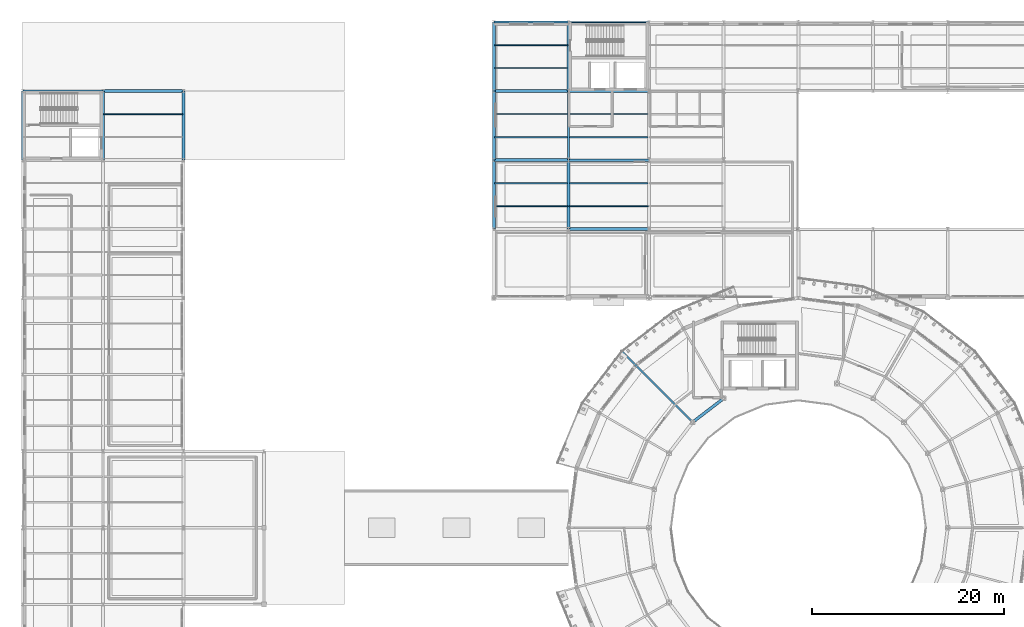
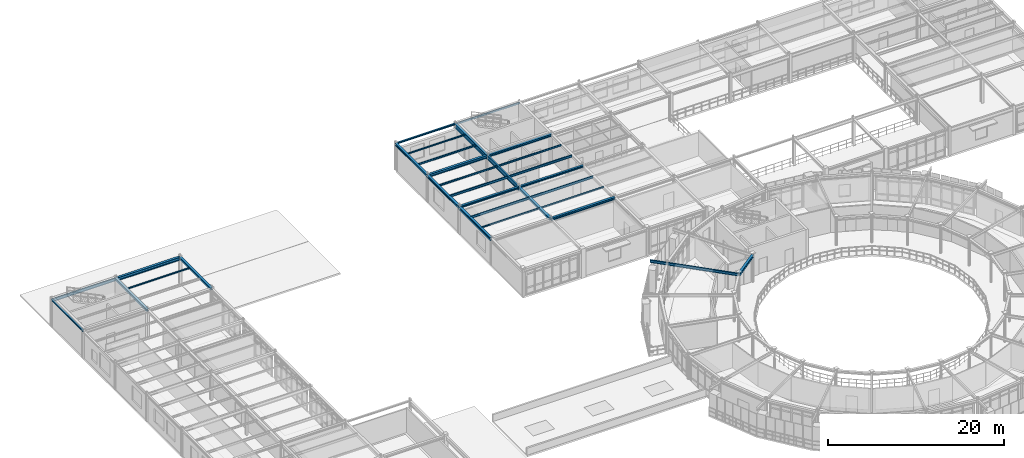
# One storey, part 32 of 70: 31 beams.
"""IFC4 building model written with IfcOpenShell, lengths in metres."""

from ifc_helpers import new_model, si_unit, derived_unit, direction, frame, origin, origin_2d, place, context, subcontext, project, spatial, hollow_rectangle, i_section, extrude, material, material_profile, profile_set, type_object, element, save


model = new_model("IFC4")

# Units and contexts
model_context = context("Model", 3, precision=1e-05, world=origin(), true_north=direction((0.0, 1.0)))
body_context = subcontext(model_context, "Body", "Model", "MODEL_VIEW")
ifc_project = project(units=[si_unit("LENGTHUNIT", "METRE"), si_unit("AREAUNIT", "SQUARE_METRE"), si_unit("VOLUMEUNIT", "CUBIC_METRE"), si_unit("PLANEANGLEUNIT", "RADIAN"), si_unit("MASSUNIT", "GRAM", prefix="KILO"), derived_unit("THERMALTRANSMITTANCEUNIT", [(si_unit("POWERUNIT", "WATT"), 1), (si_unit("AREAUNIT", "SQUARE_METRE"), -1), (si_unit("THERMODYNAMICTEMPERATUREUNIT", "KELVIN"), -1)])], contexts=[model_context])

# Site, building, storey
site_placement = place(None, origin())
site = spatial("IfcSite", under=ifc_project, at=site_placement, CompositionType="ELEMENT")
building_placement = place(site_placement, origin())
building = spatial("IfcBuilding", under=site, at=building_placement, Name="Yasenodar Specialist Clinic", CompositionType="ELEMENT")
storey_placement = place(building_placement, frame((0.0, 0.0, 13.199951171875)))
storey = spatial("IfcBuildingStorey", under=building, at=storey_placement, Name="L03", CompositionType="ELEMENT", Elevation=13.199951171875)

# Beams
ifc_material = material(Name="Steel S355", Category="steel")
ifc_material_profile_1 = material_profile(ifc_material, i_section(OverallWidth=0.260009765625, OverallDepth=0.25, WebThickness=0.007568359375, FlangeThickness=0.012451171875, FilletRadius=0.02392578125, at=origin_2d()), Name="HEA 260")
ifc_profile_set_1 = profile_set([ifc_material_profile_1], Name="Steel S355")
beam_type_1 = type_object("IfcBeamType", Name="BM-HEA260", PredefinedType="BEAM", material=ifc_profile_set_1)
beam_1_placement = place(storey_placement, frame((57.0, 97.199951171875, 3.675048828125), z_axis=(1.0, 0.0, 0.0), x_axis=(0.0, 1.0, 0.0)))
element("IfcBeam", 1, at=beam_1_placement, inside=storey, type_object=beam_type_1, Name="L03 Primary E-W Girder", PredefinedType="BEAM", context=body_context, shape_type="SweptSolid", body=[
    extrude(i_section(OverallWidth=0.260009765625, OverallDepth=0.25, WebThickness=0.007568359375, FlangeThickness=0.012451171875, FilletRadius=0.02392578125, at=origin_2d()), origin(), (0.0, 0.0, 1.0), 8.39990234375),
])
ifc_material_profile_2 = material_profile(ifc_material, i_section(OverallWidth=0.280029296875, OverallDepth=0.27001953125, WebThickness=0.008056640625, FlangeThickness=0.012939453125, FilletRadius=0.02392578125, at=origin_2d()), Name="HEA 280")
ifc_profile_set_2 = profile_set([ifc_material_profile_2], Name="Steel S355")
beam_type_2 = type_object("IfcBeamType", Name="BM-HEA280", PredefinedType="BEAM", material=ifc_profile_set_2)
beam_2_placement = place(storey_placement, frame((49.199951171875, 97.199951171875, 3.6650390625), z_axis=(1.0, 0.0, 0.0), x_axis=(0.0, 1.0, 0.0)))
element("IfcBeam", 2, at=beam_2_placement, inside=storey, type_object=beam_type_2, Name="L03 Primary E-W Girder", PredefinedType="BEAM", context=body_context, shape_type="SweptSolid", body=[
    extrude(i_section(OverallWidth=0.280029296875, OverallDepth=0.27001953125, WebThickness=0.008056640625, FlangeThickness=0.012939453125, FilletRadius=0.02392578125, at=origin_2d()), origin(), (0.0, 0.0, 1.0), 7.800048828125),
])
ifc_material_profile_3 = material_profile(ifc_material, i_section(OverallWidth=0.300048828125, OverallDepth=0.2900390625, WebThickness=0.008544921875, FlangeThickness=0.013916015625, FilletRadius=0.027099609375, at=origin_2d()), Name="HEA 300")
ifc_profile_set_3 = profile_set([ifc_material_profile_3], Name="Steel S355")
beam_type_3 = type_object("IfcBeamType", Name="BM-HEA300", PredefinedType="BEAM", material=ifc_profile_set_3)
for number, where, z_axis, x_axis, name in (
    (3, (16.800048828125, 97.199951171875, 3.655029296875), (0.0, 1.0, 0.0), (-1.0, 0.0, 0.0), "L03 Primary N-S Girder"),
    (4, (57.0, 90.0, 3.64501953125), (0.0, 1.0, 0.0), (-1.0, 0.0, 0.0), "L03 Primary N-S Girder"),
):
    element("IfcBeam", number, at=place(storey_placement, frame(where, z_axis=z_axis, x_axis=x_axis)), inside=storey, type_object=beam_type_3, Name=name, PredefinedType="BEAM", context=body_context, shape_type="SweptSolid", body=[
        extrude(i_section(OverallWidth=0.300048828125, OverallDepth=0.2900390625, WebThickness=0.008544921875, FlangeThickness=0.013916015625, FilletRadius=0.027099609375, at=origin_2d()), origin(), (0.0, 0.0, 1.0), 7.199951171875),
    ])
ifc_material_profile_4 = material_profile(ifc_material, i_section(OverallWidth=0.300048828125, OverallDepth=0.330078125, WebThickness=0.009521484375, FlangeThickness=0.0166015625, FilletRadius=0.027099609375, at=origin_2d()), Name="HEA 340")
ifc_profile_set_4 = profile_set([ifc_material_profile_4], Name="Steel S355")
beam_type_4 = type_object("IfcBeamType", Name="BM-HEA340", PredefinedType="BEAM", material=ifc_profile_set_4)
for number, where, z_axis, x_axis, name in (
    (5, (57.0, 90.0, 3.625), (1.0, 0.0, 0.0), (0.0, 1.0, 0.0), "L03 Primary E-W Girder"),
    (6, (57.0, 104.39990234375, 3.635009765625), (1.0, 0.0, 0.0), (0.0, 1.0, 0.0), "L03 Primary E-W Girder"),
):
    element("IfcBeam", number, at=place(storey_placement, frame(where, z_axis=z_axis, x_axis=x_axis)), inside=storey, type_object=beam_type_4, Name=name, PredefinedType="BEAM", context=body_context, shape_type="SweptSolid", body=[
        extrude(i_section(OverallWidth=0.300048828125, OverallDepth=0.330078125, WebThickness=0.009521484375, FlangeThickness=0.0166015625, FilletRadius=0.027099609375, at=origin_2d()), origin(), (0.0, 0.0, 1.0), 8.39990234375),
    ])
beam_3_placement = place(storey_placement, frame((73.199951171875, 72.31005859375, 3.635009765625), z_axis=(-0.793347704909, -0.608768773111, 0.0), x_axis=(0.608768773111, -0.793347704909, 0.0)))
element("IfcBeam", 7, at=beam_3_placement, inside=storey, type_object=beam_type_4, Name="L03 Drum V1 Inner Ring Beam", PredefinedType="BEAM", context=body_context, shape_type="SweptSolid", body=[
    extrude(i_section(OverallWidth=0.300048828125, OverallDepth=0.330078125, WebThickness=0.009521484375, FlangeThickness=0.0166015625, FilletRadius=0.027099609375, at=origin_2d()), origin(), (0.0, 0.0, 1.0), 4.072509765625),
])
ifc_material_profile_5 = material_profile(ifc_material, i_section(OverallWidth=0.300048828125, OverallDepth=0.389892578125, WebThickness=0.010986328125, FlangeThickness=0.01904296875, FilletRadius=0.027099609375, at=origin_2d()), Name="HEA 400")
ifc_profile_set_5 = profile_set([ifc_material_profile_5], Name="Steel S355")
beam_type_5 = type_object("IfcBeamType", Name="BM-HEA400", PredefinedType="BEAM", material=ifc_profile_set_5)
beam_4_placement = place(storey_placement, frame((49.199951171875, 104.39990234375, 3.60498046875), z_axis=(1.0, 0.0, 0.0), x_axis=(0.0, 1.0, 0.0)))
element("IfcBeam", 8, at=beam_4_placement, inside=storey, type_object=beam_type_5, Name="L03 Primary E-W Girder", PredefinedType="BEAM", context=body_context, shape_type="SweptSolid", body=[
    extrude(i_section(OverallWidth=0.300048828125, OverallDepth=0.389892578125, WebThickness=0.010986328125, FlangeThickness=0.01904296875, FilletRadius=0.027099609375, at=origin_2d()), origin(), (0.0, 0.0, 1.0), 7.800048828125),
])
ifc_material_profile_6 = material_profile(ifc_material, i_section(OverallWidth=0.300048828125, OverallDepth=0.43994140625, WebThickness=0.011474609375, FlangeThickness=0.02099609375, FilletRadius=0.027099609375, at=origin_2d()), Name="HEA 450")
ifc_profile_set_6 = profile_set([ifc_material_profile_6], Name="Steel S355")
beam_type_6 = type_object("IfcBeamType", Name="BM-HEA450", PredefinedType="BEAM", material=ifc_profile_set_6)
beam_5_placement = place(storey_placement, frame((8.39990234375, 104.39990234375, 3.580078125), z_axis=(1.0, 0.0, 0.0), x_axis=(0.0, 1.0, 0.0)))
element("IfcBeam", 9, at=beam_5_placement, inside=storey, type_object=beam_type_6, Name="L03 Primary E-W Girder", PredefinedType="BEAM", context=body_context, shape_type="SweptSolid", body=[
    extrude(i_section(OverallWidth=0.300048828125, OverallDepth=0.43994140625, WebThickness=0.011474609375, FlangeThickness=0.02099609375, FilletRadius=0.027099609375, at=origin_2d()), origin(), (0.0, 0.0, 1.0), 8.400146484375),
])
ifc_material_profile_7 = material_profile(ifc_material, i_section(OverallWidth=0.300048828125, OverallDepth=0.300048828125, WebThickness=0.010986328125, FlangeThickness=0.01904296875, FilletRadius=0.027099609375, at=origin_2d()), Name="HEB 300")
ifc_profile_set_7 = profile_set([ifc_material_profile_7], Name="Steel S355")
beam_type_7 = type_object("IfcBeamType", Name="BM-HEB300", PredefinedType="BEAM", material=ifc_profile_set_7)
beam_6_placement = place(storey_placement, frame((8.39990234375, 97.199951171875, 3.650146484375), z_axis=(0.0, 1.0, 0.0), x_axis=(-1.0, 0.0, 0.0)))
element("IfcBeam", 10, at=beam_6_placement, inside=storey, type_object=beam_type_7, Name="L03 Primary N-S Girder", PredefinedType="BEAM", context=body_context, shape_type="SweptSolid", body=[
    extrude(i_section(OverallWidth=0.300048828125, OverallDepth=0.300048828125, WebThickness=0.010986328125, FlangeThickness=0.01904296875, FilletRadius=0.027099609375, at=origin_2d()), origin(), (0.0, 0.0, 1.0), 7.199951171875),
])
beam_7_placement = place(storey_placement, frame((49.199951171875, 104.39990234375, 3.650146484375), z_axis=(0.0, 1.0, 0.0), x_axis=(-1.0, 0.0, 0.0)))
element("IfcBeam", 11, at=beam_7_placement, inside=storey, type_object=beam_type_7, Name="L03 Primary N-S Girder", PredefinedType="BEAM", context=body_context, shape_type="SweptSolid", body=[
    extrude(i_section(OverallWidth=0.300048828125, OverallDepth=0.300048828125, WebThickness=0.010986328125, FlangeThickness=0.01904296875, FilletRadius=0.027099609375, at=origin_2d()), origin(), (0.0, 0.0, 1.0), 7.2001953125),
])
ifc_material_profile_8 = material_profile(ifc_material, i_section(OverallWidth=0.300048828125, OverallDepth=0.340087890625, WebThickness=0.011962890625, FlangeThickness=0.021484375, FilletRadius=0.027099609375, at=origin_2d()), Name="HEB 340")
ifc_profile_set_8 = profile_set([ifc_material_profile_8], Name="Steel S355")
beam_type_8 = type_object("IfcBeamType", Name="BM-HEB340", PredefinedType="BEAM", material=ifc_profile_set_8)
beam_8_placement = place(storey_placement, frame((49.199951171875, 97.199951171875, 3.630126953125), z_axis=(0.0, 1.0, 0.0), x_axis=(-1.0, 0.0, 0.0)))
element("IfcBeam", 12, at=beam_8_placement, inside=storey, type_object=beam_type_8, Name="L03 Primary N-S Girder", PredefinedType="BEAM", context=body_context, shape_type="SweptSolid", body=[
    extrude(i_section(OverallWidth=0.300048828125, OverallDepth=0.340087890625, WebThickness=0.011962890625, FlangeThickness=0.021484375, FilletRadius=0.027099609375, at=origin_2d()), origin(), (0.0, 0.0, 1.0), 7.199951171875),
])
ifc_material_profile_9 = material_profile(ifc_material, i_section(OverallWidth=0.300048828125, OverallDepth=0.39990234375, WebThickness=0.013427734375, FlangeThickness=0.02392578125, FilletRadius=0.027099609375, at=origin_2d()), Name="HEB 400")
ifc_profile_set_9 = profile_set([ifc_material_profile_9], Name="Steel S355")
beam_type_9 = type_object("IfcBeamType", Name="BM-HEB400", PredefinedType="BEAM", material=ifc_profile_set_9)
beam_9_placement = place(storey_placement, frame((49.199951171875, 90.0, 3.590087890625), z_axis=(0.0, 1.0, 0.0), x_axis=(-1.0, 0.0, 0.0)))
element("IfcBeam", 13, at=beam_9_placement, inside=storey, type_object=beam_type_9, Name="L03 Primary N-S Girder", PredefinedType="BEAM", context=body_context, shape_type="SweptSolid", body=[
    extrude(i_section(OverallWidth=0.300048828125, OverallDepth=0.39990234375, WebThickness=0.013427734375, FlangeThickness=0.02392578125, FilletRadius=0.027099609375, at=origin_2d()), origin(), (0.0, 0.0, 1.0), 7.199951171875),
])
ifc_material_profile_10 = material_profile(ifc_material, i_section(OverallWidth=0.300048828125, OverallDepth=0.60009765625, WebThickness=0.015380859375, FlangeThickness=0.030029296875, FilletRadius=0.027099609375, at=origin_2d()), Name="HEB 600")
ifc_profile_set_10 = profile_set([ifc_material_profile_10], Name="Steel S355")
beam_type_10 = type_object("IfcBeamType", Name="BM-HEB600", PredefinedType="BEAM", material=ifc_profile_set_10)
beam_10_placement = place(storey_placement, frame((57.0, 104.39990234375, 3.5), z_axis=(0.0, 1.0, 0.0), x_axis=(-1.0, 0.0, 0.0)))
element("IfcBeam", 14, at=beam_10_placement, inside=storey, type_object=beam_type_10, Name="L03 Primary N-S Girder", PredefinedType="BEAM", context=body_context, shape_type="SweptSolid", body=[
    extrude(i_section(OverallWidth=0.300048828125, OverallDepth=0.60009765625, WebThickness=0.015380859375, FlangeThickness=0.030029296875, FilletRadius=0.027099609375, at=origin_2d()), origin(), (0.0, 0.0, 1.0), 7.2001953125),
])
ifc_material_profile_11 = material_profile(ifc_material, i_section(OverallWidth=0.169921875, OverallDepth=0.360107421875, WebThickness=0.008056640625, FlangeThickness=0.0126953125, FilletRadius=0.01806640625, at=origin_2d()), Name="IPE 360")
ifc_profile_set_11 = profile_set([ifc_material_profile_11], Name="Steel S355")
beam_type_11 = type_object("IfcBeamType", Name="BM-IPE360", PredefinedType="BEAM", material=ifc_profile_set_11)
beam_11_placement = place(storey_placement, frame((69.968994140625, 69.830810546875, 3.6201171875), z_axis=(-0.707095099746, 0.707118462434, 0.0), x_axis=(-0.707118462434, -0.707095099746, 0.0)))
element("IfcBeam", 15, at=beam_11_placement, inside=storey, type_object=beam_type_11, Name="L03 Drum V1 Radial Back-Spanned Cantilever Beam", PredefinedType="BEAM", context=body_context, shape_type="SweptSolid", body=[
    extrude(i_section(OverallWidth=0.169921875, OverallDepth=0.360107421875, WebThickness=0.008056640625, FlangeThickness=0.0126953125, FilletRadius=0.01806640625, at=origin_2d()), origin(), (0.0, 0.0, 1.0), 10.449951171875),
])
ifc_material_profile_12 = material_profile(ifc_material, i_section(OverallWidth=0.179931640625, OverallDepth=0.39990234375, WebThickness=0.008544921875, FlangeThickness=0.013427734375, FilletRadius=0.02099609375, at=origin_2d()), Name="IPE 400")
ifc_profile_set_12 = profile_set([ifc_material_profile_12], Name="Steel S355")
beam_type_12 = type_object("IfcBeamType", Name="BM-IPE400", PredefinedType="BEAM", material=ifc_profile_set_12)
beam_12_placement = place(storey_placement, frame((0.0, 104.39990234375, 3.60009765625), z_axis=(1.0, 0.0, 0.0), x_axis=(0.0, 1.0, 0.0)))
element("IfcBeam", 16, at=beam_12_placement, inside=storey, type_object=beam_type_12, Name="L03 Primary E-W Girder", PredefinedType="BEAM", context=body_context, shape_type="SweptSolid", body=[
    extrude(i_section(OverallWidth=0.179931640625, OverallDepth=0.39990234375, WebThickness=0.008544921875, FlangeThickness=0.013427734375, FilletRadius=0.02099609375, at=origin_2d()), origin(), (0.0, 0.0, 1.0), 8.39990234375),
])
ifc_material_profile_13 = material_profile(ifc_material, i_section(OverallWidth=0.2099609375, OverallDepth=0.550048828125, WebThickness=0.010986328125, FlangeThickness=0.01708984375, FilletRadius=0.02392578125, at=origin_2d()), Name="IPE 550")
ifc_profile_set_13 = profile_set([ifc_material_profile_13], Name="Steel S355")
beam_type_13 = type_object("IfcBeamType", Name="BM-IPE550", PredefinedType="BEAM", material=ifc_profile_set_13)
beam_13_placement = place(storey_placement, frame((57.0, 97.199951171875, 3.525146484375), z_axis=(0.0, 1.0, 0.0), x_axis=(-1.0, 0.0, 0.0)))
element("IfcBeam", 17, at=beam_13_placement, inside=storey, type_object=beam_type_13, Name="L03 Primary N-S Girder", PredefinedType="BEAM", context=body_context, shape_type="SweptSolid", body=[
    extrude(i_section(OverallWidth=0.2099609375, OverallDepth=0.550048828125, WebThickness=0.010986328125, FlangeThickness=0.01708984375, FilletRadius=0.02392578125, at=origin_2d()), origin(), (0.0, 0.0, 1.0), 7.199951171875),
])
ifc_material_profile_14 = material_profile(ifc_material, i_section(OverallWidth=0.10009765625, OverallDepth=0.199951171875, WebThickness=0.005615234375, FlangeThickness=0.008544921875, FilletRadius=0.011962890625, at=origin_2d()), Name="IPE 200")
ifc_profile_set_14 = profile_set([ifc_material_profile_14], Name="Steel S355")
beam_type_14 = type_object("IfcBeamType", Name="JS-IPE200", PredefinedType="JOIST", material=ifc_profile_set_14)
beam_14_placement = place(storey_placement, frame((8.47998046875, 102.0, 3.699951171875), z_axis=(1.0, 0.0, 0.0), x_axis=(0.0, 1.0, 0.0)))
element("IfcBeam", 18, at=beam_14_placement, inside=storey, type_object=beam_type_14, Name="L03 Composite Floor Joist", PredefinedType="JOIST", context=body_context, shape_type="SweptSolid", body=[
    extrude(i_section(OverallWidth=0.10009765625, OverallDepth=0.199951171875, WebThickness=0.005615234375, FlangeThickness=0.008544921875, FilletRadius=0.011962890625, at=origin_2d()), origin(), (0.0, 0.0, 1.0), 8.239990234375),
])
for number, where, z_axis, x_axis, name in (
    (19, (49.280029296875, 92.39990234375, 3.699951171875), (1.0, 0.0, 0.0), (0.0, 1.0, 0.0), "L03 Composite Floor Joist"),
    (20, (49.280029296875, 109.199951171875, 3.699951171875), (1.0, 0.0, 0.0), (0.0, 1.0, 0.0), "L03 Composite Floor Joist"),
):
    element("IfcBeam", number, at=place(storey_placement, frame(where, z_axis=z_axis, x_axis=x_axis)), inside=storey, type_object=beam_type_14, Name=name, PredefinedType="JOIST", context=body_context, shape_type="SweptSolid", body=[
        extrude(i_section(OverallWidth=0.10009765625, OverallDepth=0.199951171875, WebThickness=0.005615234375, FlangeThickness=0.008544921875, FilletRadius=0.011962890625, at=origin_2d()), origin(), (0.0, 0.0, 1.0), 7.639892578125),
    ])
beam_15_placement = place(storey_placement, frame((57.080078125, 92.39990234375, 3.699951171875), z_axis=(1.0, 0.0, 0.0), x_axis=(0.0, 1.0, 0.0)))
element("IfcBeam", 21, at=beam_15_placement, inside=storey, type_object=beam_type_14, Name="L03 Composite Floor Joist", PredefinedType="JOIST", context=body_context, shape_type="SweptSolid", body=[
    extrude(i_section(OverallWidth=0.10009765625, OverallDepth=0.199951171875, WebThickness=0.005615234375, FlangeThickness=0.008544921875, FilletRadius=0.011962890625, at=origin_2d()), origin(), (0.0, 0.0, 1.0), 8.239990234375),
])
ifc_material_profile_15 = material_profile(ifc_material, i_section(OverallWidth=0.1201171875, OverallDepth=0.239990234375, WebThickness=0.006103515625, FlangeThickness=0.009765625, FilletRadius=0.014892578125, at=origin_2d()), Name="IPE 240")
ifc_profile_set_15 = profile_set([ifc_material_profile_15], Name="Steel S355")
beam_type_15 = type_object("IfcBeamType", Name="JS-IPE240", PredefinedType="JOIST", material=ifc_profile_set_15)
for number, where, z_axis, x_axis, name in (
    (22, (49.280029296875, 102.0, 3.679931640625), (1.0, 0.0, 0.0), (0.0, 1.0, 0.0), "L03 Composite Floor Joist"),
    (23, (49.280029296875, 106.800048828125, 3.679931640625), (1.0, 0.0, 0.0), (0.0, 1.0, 0.0), "L03 Composite Floor Joist"),
):
    element("IfcBeam", number, at=place(storey_placement, frame(where, z_axis=z_axis, x_axis=x_axis)), inside=storey, type_object=beam_type_15, Name=name, PredefinedType="JOIST", context=body_context, shape_type="SweptSolid", body=[
        extrude(i_section(OverallWidth=0.1201171875, OverallDepth=0.239990234375, WebThickness=0.006103515625, FlangeThickness=0.009765625, FilletRadius=0.014892578125, at=origin_2d()), origin(), (0.0, 0.0, 1.0), 7.639892578125),
    ])
beam_16_placement = place(storey_placement, frame((57.080078125, 102.0, 3.679931640625), z_axis=(1.0, 0.0, 0.0), x_axis=(0.0, 1.0, 0.0)))
element("IfcBeam", 24, at=beam_16_placement, inside=storey, type_object=beam_type_15, Name="L03 Composite Floor Joist", PredefinedType="JOIST", context=body_context, shape_type="SweptSolid", body=[
    extrude(i_section(OverallWidth=0.1201171875, OverallDepth=0.239990234375, WebThickness=0.006103515625, FlangeThickness=0.009765625, FilletRadius=0.014892578125, at=origin_2d()), origin(), (0.0, 0.0, 1.0), 8.239990234375),
])
ifc_material_profile_16 = material_profile(ifc_material, i_section(OverallWidth=0.14990234375, OverallDepth=0.300048828125, WebThickness=0.007080078125, FlangeThickness=0.0107421875, FilletRadius=0.014892578125, at=origin_2d()), Name="IPE 300")
ifc_profile_set_16 = profile_set([ifc_material_profile_16], Name="Steel S355")
beam_type_16 = type_object("IfcBeamType", Name="JS-IPE300", PredefinedType="JOIST", material=ifc_profile_set_16)
for number, where, z_axis, x_axis, name in (
    (25, (49.280029296875, 94.800048828125, 3.650146484375), (1.0, 0.0, 0.0), (0.0, 1.0, 0.0), "L03 Composite Floor Joist"),
    (26, (49.280029296875, 99.60009765625, 3.650146484375), (1.0, 0.0, 0.0), (0.0, 1.0, 0.0), "L03 Composite Floor Joist"),
):
    element("IfcBeam", number, at=place(storey_placement, frame(where, z_axis=z_axis, x_axis=x_axis)), inside=storey, type_object=beam_type_16, Name=name, PredefinedType="JOIST", context=body_context, shape_type="SweptSolid", body=[
        extrude(i_section(OverallWidth=0.14990234375, OverallDepth=0.300048828125, WebThickness=0.007080078125, FlangeThickness=0.0107421875, FilletRadius=0.014892578125, at=origin_2d()), origin(), (0.0, 0.0, 1.0), 7.639892578125),
    ])
for number, where, z_axis, x_axis, name in (
    (27, (57.080078125, 94.800048828125, 3.650146484375), (1.0, 0.0, 0.0), (0.0, 1.0, 0.0), "L03 Composite Floor Joist"),
    (28, (57.080078125, 99.60009765625, 3.650146484375), (1.0, 0.0, 0.0), (0.0, 1.0, 0.0), "L03 Composite Floor Joist"),
):
    element("IfcBeam", number, at=place(storey_placement, frame(where, z_axis=z_axis, x_axis=x_axis)), inside=storey, type_object=beam_type_16, Name=name, PredefinedType="JOIST", context=body_context, shape_type="SweptSolid", body=[
        extrude(i_section(OverallWidth=0.14990234375, OverallDepth=0.300048828125, WebThickness=0.007080078125, FlangeThickness=0.0107421875, FilletRadius=0.014892578125, at=origin_2d()), origin(), (0.0, 0.0, 1.0), 8.239990234375),
    ])
ifc_material_profile_17 = material_profile(ifc_material, i_section(OverallWidth=0.199951171875, OverallDepth=0.18994140625, WebThickness=0.006591796875, FlangeThickness=0.010009765625, FilletRadius=0.01806640625, at=origin_2d()), Name="HEA 200")
ifc_profile_set_17 = profile_set([ifc_material_profile_17], Name="Steel S355")
beam_type_17 = type_object("IfcBeamType", Name="SP-HEA200", PredefinedType="SPANDREL", material=ifc_profile_set_17)
beam_17_placement = place(storey_placement, frame((49.199951171875, 111.60009765625, 3.705078125), z_axis=(1.0, 0.0, 0.0), x_axis=(0.0, 1.0, 0.0)))
element("IfcBeam", 29, at=beam_17_placement, inside=storey, type_object=beam_type_17, Name="L03 Perimeter Spandrel Beam", PredefinedType="SPANDREL", context=body_context, shape_type="SweptSolid", body=[
    extrude(i_section(OverallWidth=0.199951171875, OverallDepth=0.18994140625, WebThickness=0.006591796875, FlangeThickness=0.010009765625, FilletRadius=0.01806640625, at=origin_2d()), origin(), (0.0, 0.0, 1.0), 7.800048828125),
])
beam_18_placement = place(storey_placement, frame((0.0, 97.199951171875, 3.705078125), z_axis=(0.0, 1.0, 0.0), x_axis=(-1.0, 0.0, 0.0)))
element("IfcBeam", 30, at=beam_18_placement, inside=storey, type_object=beam_type_17, Name="L03 Perimeter Spandrel Beam", PredefinedType="SPANDREL", context=body_context, shape_type="SweptSolid", body=[
    extrude(i_section(OverallWidth=0.199951171875, OverallDepth=0.18994140625, WebThickness=0.006591796875, FlangeThickness=0.010009765625, FilletRadius=0.01806640625, at=origin_2d()), origin(), (0.0, 0.0, 1.0), 7.199951171875),
])
ifc_material_profile_18 = material_profile(ifc_material, hollow_rectangle(XDim=0.14990234375, YDim=0.25, WallThickness=0.010009765625, InnerFilletRadius=0.014892578125, OuterFilletRadius=0.02490234375, at=origin_2d()), Name="RHS 250x150x10")
ifc_profile_set_18 = profile_set([ifc_material_profile_18], Name="Steel S355")
beam_type_18 = type_object("IfcBeamType", Name="SP-RHS250", PredefinedType="SPANDREL", material=ifc_profile_set_18)
beam_19_placement = place(storey_placement, frame((57.0, 111.60009765625, 3.675048828125), z_axis=(1.0, 0.0, 0.0), x_axis=(0.0, 1.0, 0.0)))
element("IfcBeam", 31, at=beam_19_placement, inside=storey, type_object=beam_type_18, Name="L03 Perimeter Spandrel Beam", PredefinedType="SPANDREL", context=body_context, shape_type="SweptSolid", body=[
    extrude(hollow_rectangle(XDim=0.14990234375, YDim=0.25, WallThickness=0.010009765625, InnerFilletRadius=0.014892578125, OuterFilletRadius=0.02490234375, at=origin_2d()), origin(), (0.0, 0.0, 1.0), 8.39990234375),
])

save(model, "model.ifc")
